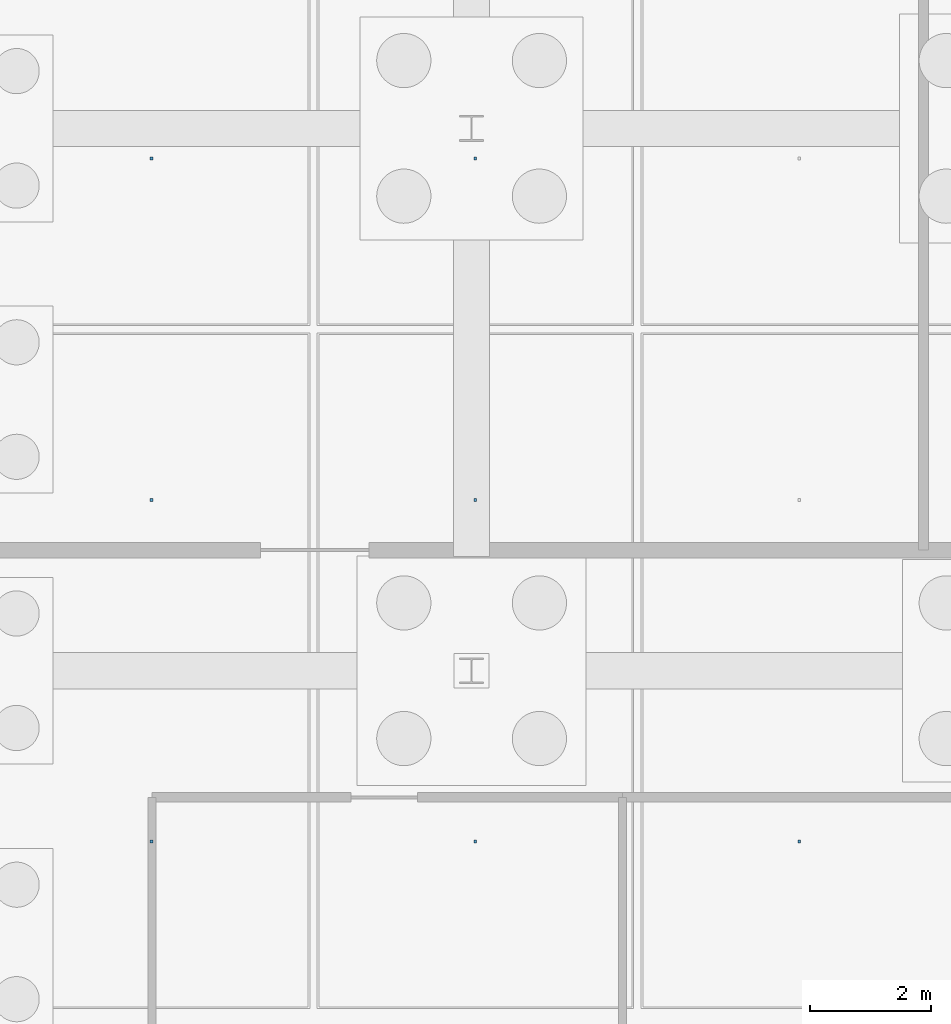
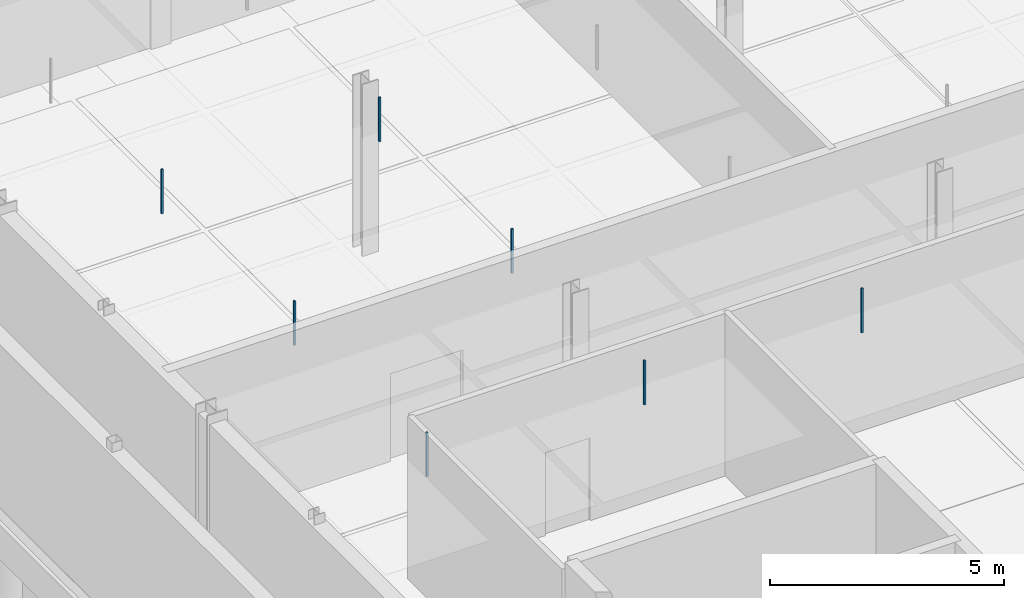
# One storey, part 29 of 48: 7 discrete accessories.
"""IFC4 building model written with IfcOpenShell, lengths in metres."""

from ifc_helpers import new_model, si_unit, direction, frame, origin, origin_2d, place, context, subcontext, project, spatial, rectangle, extrude, material, type_object, element, save


model = new_model("IFC4")

# Units and contexts
model_context = context("Model", 3, precision=1e-05, world=origin(), true_north=direction((0.0, 1.0)))
body_context = subcontext(model_context, "Body", "Model", "MODEL_VIEW")
ifc_project = project(units=[si_unit("LENGTHUNIT", "METRE"), si_unit("AREAUNIT", "SQUARE_METRE"), si_unit("VOLUMEUNIT", "CUBIC_METRE"), si_unit("PLANEANGLEUNIT", "RADIAN"), si_unit("MASSUNIT", "GRAM", prefix="KILO"), si_unit("THERMODYNAMICTEMPERATUREUNIT", "KELVIN"), si_unit("POWERUNIT", "WATT")], contexts=[model_context])

# Site, building, storey
site_placement = place(None, origin())
site = spatial("IfcSite", under=ifc_project, at=site_placement, CompositionType="ELEMENT")
building_placement = place(site_placement, origin())
building = spatial("IfcBuilding", under=site, at=building_placement, Name="Tallowbark Science Centre", CompositionType="ELEMENT")
storey_placement = place(building_placement, frame((0.0, 0.0, -4.5)))
storey = spatial("IfcBuildingStorey", under=building, at=storey_placement, Name="B1", CompositionType="ELEMENT", Elevation=-4.5)

# Discrete accessories
ifc_material = material(Name="Galvanised Steel Grade C350L0 (350 MPa)", Category="steel")
discrete_accessory_type = type_object("IfcDiscreteAccessoryType", Name="ACC-CLG-HNG", PredefinedType="BRACKET", material=ifc_material)
for number, where, z_axis, x_axis, name in (
    (1, (62.1875, 19.666748046875, 3.10595703125), (0.0, 0.0, 1.0), (1.0, 0.0, 0.0), "Ceiling Hanger Bracket B1-1"),
    (2, (62.1875, 25.333251953125, 3.10595703125), (0.0, 0.0, 1.0), (1.0, 0.0, 0.0), "Ceiling Hanger Bracket B1-2"),
    (3, (62.1875, 31.0, 3.10595703125), (0.0, 0.0, 1.0), (1.0, 0.0, 0.0), "Ceiling Hanger Bracket B1-3"),
    (4, (67.5625, 19.666748046875, 3.10595703125), (0.0, 0.0, 1.0), (1.0, 0.0, 0.0), "Ceiling Hanger Bracket B1-5"),
    (5, (67.5625, 25.333251953125, 3.10595703125), (0.0, 0.0, 1.0), (1.0, 0.0, 0.0), "Ceiling Hanger Bracket B1-6"),
    (6, (67.5625, 31.0, 3.10595703125), (0.0, 0.0, 1.0), (1.0, 0.0, 0.0), "Ceiling Hanger Bracket B1-7"),
    (7, (72.9375, 19.666748046875, 3.10595703125), (0.0, 0.0, 1.0), (1.0, 0.0, 0.0), "Ceiling Hanger Bracket B1-9"),
):
    element("IfcDiscreteAccessory", number, at=place(storey_placement, frame(where, z_axis=z_axis, x_axis=x_axis)), inside=storey, type_object=discrete_accessory_type, Name=name, PredefinedType="BRACKET", context=body_context, shape_type="SweptSolid", body=[
        extrude(rectangle(XDim=0.044921875, YDim=0.044921875, at=origin_2d()), origin(), (0.0, 0.0, 1.0), 1.156982421875),
    ])

save(model, "model.ifc")
